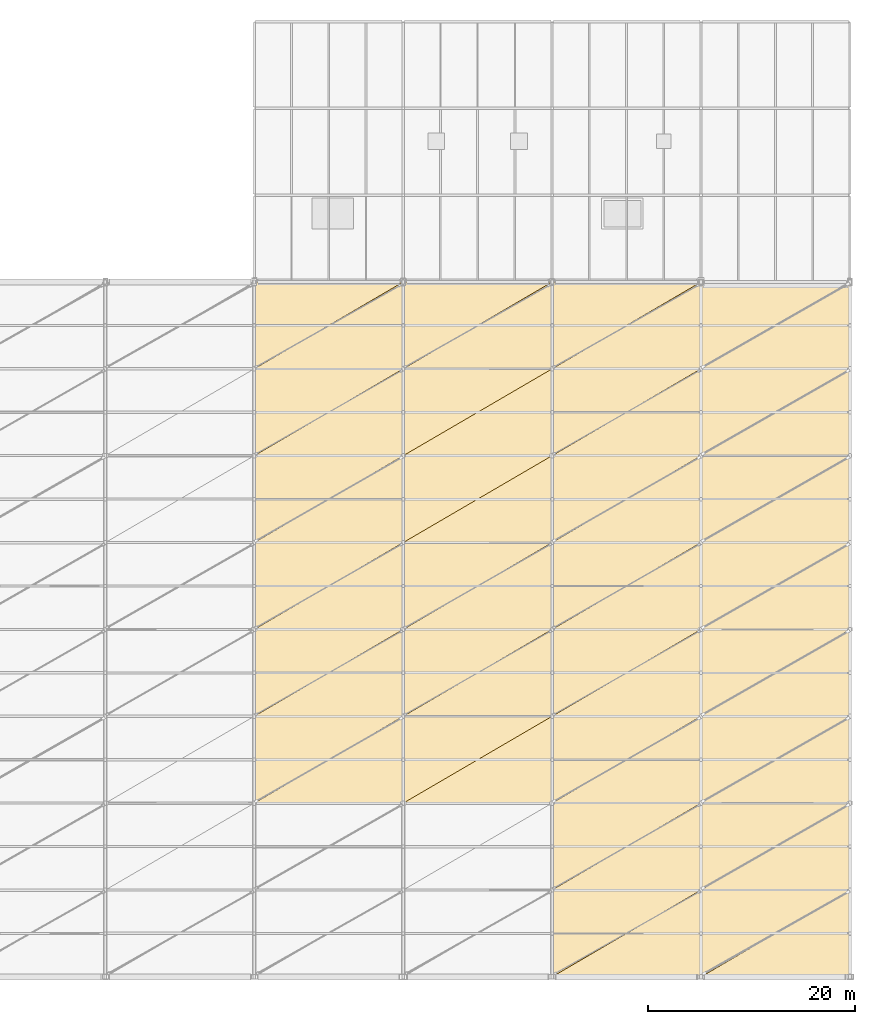
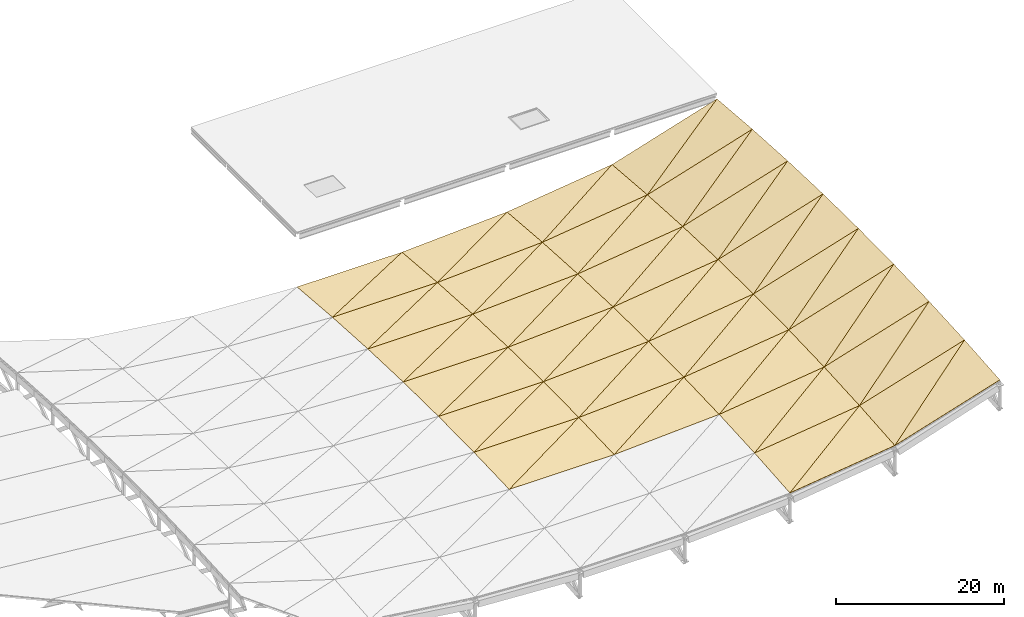
# One storey, part 22 of 22: 56 coverings.
"""IFC4 building model written with IfcOpenShell, lengths in metres."""

from ifc_helpers import new_model, si_unit, direction, frame, origin, place, context, subcontext, project, spatial, polyline, outline, extrude, material, layer, layer_set, type_object, element, save


model = new_model("IFC4")

# Units and contexts
model_context = context("Model", 3, precision=1e-05, world=origin(), true_north=direction((0.0, 1.0)))
body_context = subcontext(model_context, "Body", "Model", "MODEL_VIEW")
ifc_project = project(units=[si_unit("LENGTHUNIT", "METRE"), si_unit("AREAUNIT", "SQUARE_METRE"), si_unit("VOLUMEUNIT", "CUBIC_METRE"), si_unit("PLANEANGLEUNIT", "RADIAN"), si_unit("MASSUNIT", "GRAM", prefix="KILO"), si_unit("THERMODYNAMICTEMPERATUREUNIT", "KELVIN")], contexts=[model_context])

# Site, building, storey
site_placement = place(None, origin())
site = spatial("IfcSite", under=ifc_project, at=site_placement, CompositionType="ELEMENT")
building_placement = place(site_placement, origin())
building = spatial("IfcBuilding", under=site, at=building_placement, Name="Nduvali Passage Aquatics Centre", CompositionType="ELEMENT")
storey_placement = place(building_placement, frame((0.0, 0.0, 21.60009765625)))
storey = spatial("IfcBuildingStorey", under=building, at=storey_placement, Name="RF", CompositionType="ELEMENT", Elevation=21.60009765625)

# Coverings
ifc_material = material(Name="Aluminium EN AW-6063 T6", Category="aluminium")
ifc_layer = layer(ifc_material, 0.06005859375, Name="Aluminium EN AW-6063 T6")
ifc_layer_set = layer_set([ifc_layer], Name="Aluminium EN AW-6063 T6")
covering_type = type_object("IfcCoveringType", Name="ARCH-COV-ROOFING", PredefinedType="ROOFING", material=ifc_layer_set)
covering_1_placement = place(storey_placement, frame((68.39990234375, 42.0, -6.650634765625), z_axis=(0.0, -0.035697746763, 0.999362632319), x_axis=(1.0, 0.0, 0.0)))
element("IfcCovering", 1, at=covering_1_placement, inside=storey, type_object=covering_type, Name="Pool Hall Standing-Seam Roof Cladding B4-P3-T1", PredefinedType="ROOFING", context=body_context, shape_type="SweptSolid", body=[
    extrude(outline(polyline([(0.0, 0.0), (14.400146484375, 0.0), (14.400146484375, 8.405259584557513), (0.0, 0.0)])), origin(), (0.0, 0.0, -1.0), 0.06005859375),
])
covering_2_placement = place(storey_placement, frame((68.39990234375, 42.0, -6.650634765625), z_axis=(0.0, -0.035697746763, 0.999362632319), x_axis=(0.863643809628, 0.503781240596, 0.017995324789)))
element("IfcCovering", 2, at=covering_2_placement, inside=storey, type_object=covering_type, Name="Pool Hall Standing-Seam Roof Cladding B4-P3-T2", PredefinedType="ROOFING", context=body_context, shape_type="SweptSolid", body=[
    extrude(outline(polyline([(0.0, 0.0), (16.673710068705574, -1.9116652705264414e-15), (4.237112699734054, 7.259150408522222), (0.0, 0.0)])), origin(), (0.0, 0.0, -1.0), 0.06005859375),
])
covering_3_placement = place(storey_placement, frame((68.39990234375, 50.39990234375, -6.3505859375), z_axis=(0.0, -0.011915333916, 0.999929009889), x_axis=(1.0, 0.0, 0.0)))
element("IfcCovering", 3, at=covering_3_placement, inside=storey, type_object=covering_type, Name="Pool Hall Standing-Seam Roof Cladding B4-P4-T1", PredefinedType="ROOFING", context=body_context, shape_type="SweptSolid", body=[
    extrude(outline(polyline([(0.0, 0.0), (14.400146484375, 0.0), (14.400146484375, 8.400742854042399), (0.0, 0.0)])), origin(), (0.0, 0.0, -1.0), 0.06005859375),
])
covering_4_placement = place(storey_placement, frame((68.39990234375, 50.39990234375, -6.3505859375), z_axis=(0.0, -0.011915333916, 0.999929009889), x_axis=(0.863761737843, 0.503864674804, 0.006004142084)))
element("IfcCovering", 4, at=covering_4_placement, inside=storey, type_object=covering_type, Name="Pool Hall Standing-Seam Roof Cladding B4-P4-T2", PredefinedType="ROOFING", context=body_context, shape_type="SweptSolid", body=[
    extrude(outline(polyline([(0.0, 0.0), (16.67143362975128, -1.427243739859918e-15), (4.233138077207896, 7.25624024678325), (0.0, 0.0)])), origin(), (0.0, 0.0, -1.0), 0.06005859375),
])
covering_5_placement = place(storey_placement, frame((68.39990234375, 58.800048828125, -6.25048828125), z_axis=(0.0, 0.011915680183, 0.999929005763), x_axis=(1.0, 0.0, 0.0)))
element("IfcCovering", 5, at=covering_5_placement, inside=storey, type_object=covering_type, Name="Pool Hall Standing-Seam Roof Cladding B4-P5-T1", PredefinedType="ROOFING", context=body_context, shape_type="SweptSolid", body=[
    extrude(outline(polyline([(0.0, 0.0), (14.400146484375, 0.0), (14.400146484375, 8.400498730749472), (0.0, 0.0)])), origin(), (0.0, 0.0, -1.0), 0.06005859375),
])
covering_6_placement = place(storey_placement, frame((68.39990234375, 58.800048828125, -6.25048828125), z_axis=(0.0, 0.011915680183, 0.999929005763), x_axis=(0.863768111277, 0.503853748311, -0.006004186386)))
element("IfcCovering", 6, at=covering_6_placement, inside=storey, type_object=covering_type, Name="Pool Hall Standing-Seam Roof Cladding B4-P5-T2", PredefinedType="ROOFING", context=body_context, shape_type="SweptSolid", body=[
    extrude(outline(polyline([(0.0, 0.0), (16.67131061724846, -1.1915381875615694e-15), (4.232923286325918, 7.256082922445367), (0.0, 0.0)])), origin(), (0.0, 0.0, -1.0), 0.06005859375),
])
covering_7_placement = place(storey_placement, frame((68.39990234375, 67.199951171875, -6.3505859375), z_axis=(0.0, 0.035696710571, 0.999362669332), x_axis=(1.0, 0.0, 0.0)))
element("IfcCovering", 7, at=covering_7_placement, inside=storey, type_object=covering_type, Name="Pool Hall Standing-Seam Roof Cladding B4-P6-T1", PredefinedType="ROOFING", context=body_context, shape_type="SweptSolid", body=[
    extrude(outline(polyline([(0.0, 0.0), (14.400146484375, 0.0), (14.400146484375, 8.405503569579686), (0.0, 0.0)])), origin(), (0.0, 0.0, -1.0), 0.06005859375),
])
covering_8_placement = place(storey_placement, frame((68.39990234375, 67.199951171875, -6.3505859375), z_axis=(0.0, 0.035696710571, 0.999362669332), x_axis=(0.863637438946, 0.503792166587, -0.017995192046)))
element("IfcCovering", 8, at=covering_8_placement, inside=storey, type_object=covering_type, Name="Pool Hall Standing-Seam Roof Cladding B4-P6-T2", PredefinedType="ROOFING", context=body_context, shape_type="SweptSolid", body=[
    extrude(outline(polyline([(0.0, 0.0), (16.67383306350626, 8.344019919448442e-16), (4.237327433297434, 7.259307575880901), (0.0, 0.0)])), origin(), (0.0, 0.0, -1.0), 0.06005859375),
])
covering_9_placement = place(storey_placement, frame((68.39990234375, 75.60009765625, -6.650634765625), z_axis=(0.0, 0.059419328339, 0.998233110761), x_axis=(1.0, 0.0, 0.0)))
element("IfcCovering", 9, at=covering_9_placement, inside=storey, type_object=covering_type, Name="Pool Hall Standing-Seam Roof Cladding B4-P7-T1", PredefinedType="ROOFING", context=body_context, shape_type="SweptSolid", body=[
    extrude(outline(polyline([(0.0, 0.0), (14.400146484375, 0.0), (14.400146484375, 8.414770310860346), (0.0, 0.0)])), origin(), (0.0, 0.0, -1.0), 0.06005859375),
])
covering_10_placement = place(storey_placement, frame((68.39990234375, 75.60009765625, -6.650634765625), z_axis=(0.0, 0.059419328339, 0.998233110761), x_axis=(0.863395442994, 0.503636363217, -0.029978703478)))
element("IfcCovering", 10, at=covering_10_placement, inside=storey, type_object=covering_type, Name="Pool Hall Standing-Seam Roof Cladding B4-P7-T2", PredefinedType="ROOFING", context=body_context, shape_type="SweptSolid", body=[
    extrude(outline(polyline([(0.0, 0.0), (16.67850647258304, 6.938893903907228e-16), (4.245485619526848, 7.265274340238467), (0.0, 0.0)])), origin(), (0.0, 0.0, -1.0), 0.06005859375),
])
covering_11_placement = place(storey_placement, frame((68.39990234375, 84.0, -7.150634765625), z_axis=(0.0, 0.08304068576, 0.996546157741), x_axis=(1.0, 0.0, 0.0)))
element("IfcCovering", 11, at=covering_11_placement, inside=storey, type_object=covering_type, Name="Pool Hall Standing-Seam Roof Cladding B4-P8-T1", PredefinedType="ROOFING", context=body_context, shape_type="SweptSolid", body=[
    extrude(outline(polyline([(0.0, 0.0), (14.400146484375, 0.0), (14.400146484375, 8.429014831375367), (0.0, 0.0)])), origin(), (0.0, 0.0, -1.0), 0.06005859375),
])
covering_12_placement = place(storey_placement, frame((68.39990234375, 84.0, -7.150634765625), z_axis=(0.0, 0.08304068576, 0.996546157741), x_axis=(0.863023332313, 0.503419303385, -0.041949169994)))
element("IfcCovering", 12, at=covering_12_placement, inside=storey, type_object=covering_type, Name="Pool Hall Standing-Seam Roof Cladding B4-P8-T2", PredefinedType="ROOFING", context=body_context, shape_type="SweptSolid", body=[
    extrude(outline(polyline([(0.0, 0.0), (16.685697761825953, -3.0531133177191805e-16), (4.258035357088415, 7.274436467887453), (0.0, 0.0)])), origin(), (0.0, 0.0, -1.0), 0.06005859375),
])
covering_13_placement = place(storey_placement, frame((82.800048828125, 42.0, -6.650634765625), z_axis=(-0.054814466752, -0.035644077233, 0.997860147512), x_axis=(0.99849464295, 0.0, 0.054849320863)))
element("IfcCovering", 13, at=covering_13_placement, inside=storey, type_object=covering_type, Name="Pool Hall Standing-Seam Roof Cladding B5-P3-T1", PredefinedType="ROOFING", context=body_context, shape_type="SweptSolid", body=[
    extrude(outline(polyline([(0.0, 0.0), (14.421612019068148, 3.469446951953614e-18), (14.438069493516636, 8.405243472697903), (0.0, 0.0)])), origin(), (0.0, 0.0, -1.0), 0.06005859375),
])
covering_14_placement = place(storey_placement, frame((82.800048828125, 42.0, -6.650634765625), z_axis=(-0.054814466752, -0.035644077233, 0.997860147512), x_axis=(0.861935930412, 0.502793523817, 0.065307918908)))
element("IfcCovering", 14, at=covering_14_placement, inside=storey, type_object=covering_type, Name="Pool Hall Standing-Seam Roof Cladding B5-P3-T2", PredefinedType="ROOFING", context=body_context, shape_type="SweptSolid", body=[
    extrude(outline(polyline([(0.0, 0.0), (16.70646487246618, -9.75781955236954e-17), (4.243012063667166, 7.255703777813067), (0.0, 0.0)])), origin(), (0.0, 0.0, -1.0), 0.06005859375),
])
covering_15_placement = place(storey_placement, frame((82.800048828125, 50.39990234375, -6.3505859375), z_axis=(-0.054845438817, -0.011897399625, 0.998423972931), x_axis=(0.99849464295, 0.0, 0.054849320863)))
element("IfcCovering", 15, at=covering_15_placement, inside=storey, type_object=covering_type, Name="Pool Hall Standing-Seam Roof Cladding B5-P4-T1", PredefinedType="ROOFING", context=body_context, shape_type="SweptSolid", body=[
    extrude(outline(polyline([(0.0, 0.0), (14.421612019068148, 0.0), (14.42710230753347, 8.400741059958756), (0.0, 0.0)])), origin(), (0.0, 0.0, -1.0), 0.06005859375),
])
covering_16_placement = place(storey_placement, frame((82.800048828125, 50.39990234375, -6.3505859375), z_axis=(-0.054845438817, -0.011897399625, 0.998423972931), x_axis=(0.862542223577, 0.503161816938, 0.053376947476)))
element("IfcCovering", 16, at=covering_16_placement, inside=storey, type_object=covering_type, Name="Pool Hall Standing-Seam Roof Cladding B5-P4-T2", PredefinedType="ROOFING", context=body_context, shape_type="SweptSolid", body=[
    extrude(outline(polyline([(0.0, 0.0), (16.694721661307042, -1.3877787807814457e-16), (4.231975874962427, 7.256918126414299), (0.0, 0.0)])), origin(), (0.0, 0.0, -1.0), 0.06005859375),
])
covering_17_placement = place(storey_placement, frame((82.800048828125, 58.800048828125, -6.25048828125), z_axis=(-0.054845438591, 0.011897745371, 0.998423968823), x_axis=(0.99849464295, 0.0, 0.054849320863)))
element("IfcCovering", 17, at=covering_17_placement, inside=storey, type_object=covering_type, Name="Pool Hall Standing-Seam Roof Cladding B5-P5-T1", PredefinedType="ROOFING", context=body_context, shape_type="SweptSolid", body=[
    extrude(outline(polyline([(0.0, 0.0), (14.421612019068148, -1.734723475976807e-18), (14.416121730602827, 8.400496936613694), (0.0, 0.0)])), origin(), (0.0, 0.0, -1.0), 0.06005859375),
])
covering_18_placement = place(storey_placement, frame((82.800048828125, 58.800048828125, -6.25048828125), z_axis=(-0.054845438591, 0.011897745371, 0.998423968823), x_axis=(0.863039072381, 0.503437020182, 0.041409253244)))
element("IfcCovering", 18, at=covering_18_placement, inside=storey, type_object=covering_type, Name="Pool Hall Standing-Seam Roof Cladding B5-P5-T2", PredefinedType="ROOFING", context=body_context, shape_type="SweptSolid", body=[
    extrude(outline(polyline([(0.0, 0.0), (16.6851105640213, 2.0816681711721685e-17), (4.224676836556435, 7.260887311616054), (0.0, 0.0)])), origin(), (0.0, 0.0, -1.0), 0.06005859375),
])
covering_19_placement = place(storey_placement, frame((82.800048828125, 67.199951171875, -6.3505859375), z_axis=(-0.054814468776, 0.035643042595, 0.997860184358), x_axis=(0.99849464295, 0.0, 0.054849320863)))
element("IfcCovering", 19, at=covering_19_placement, inside=storey, type_object=covering_type, Name="Pool Hall Standing-Seam Roof Cladding B5-P6-T1", PredefinedType="ROOFING", context=body_context, shape_type="SweptSolid", body=[
    extrude(outline(polyline([(0.0, 0.0), (14.421612019068148, -6.938893903907228e-18), (14.405154544619661, 8.405487458187755), (0.0, 0.0)])), origin(), (0.0, 0.0, -1.0), 0.06005859375),
])
covering_20_placement = place(storey_placement, frame((82.800048828125, 67.199951171875, -6.3505859375), z_axis=(-0.054814468776, 0.035643042595, 0.997860184358), x_axis=(0.863399243883, 0.503661757558, 0.02943772472)))
element("IfcCovering", 20, at=covering_20_placement, inside=storey, type_object=covering_type, Name="Pool Hall Standing-Seam Roof Cladding B5-P6-T2", PredefinedType="ROOFING", context=body_context, shape_type="SweptSolid", body=[
    extrude(outline(polyline([(0.0, 0.0), (16.678150283053817, 9.055256544598933e-16), (4.221999787257812, 7.268232801349435), (0.0, 0.0)])), origin(), (0.0, 0.0, -1.0), 0.06005859375),
])
covering_21_placement = place(storey_placement, frame((82.800048828125, 75.60009765625, -6.650634765625), z_axis=(-0.054752698975, 0.059330196132, 0.996735707087), x_axis=(0.99849464295, 0.0, 0.054849320863)))
element("IfcCovering", 21, at=covering_21_placement, inside=storey, type_object=covering_type, Name="Pool Hall Standing-Seam Roof Cladding B5-P7-T1", PredefinedType="ROOFING", context=body_context, shape_type="SweptSolid", body=[
    extrude(outline(polyline([(0.0, 0.0), (14.421612019068148, 0.0), (14.394187358636495, 8.41472562075181), (0.0, 0.0)])), origin(), (0.0, 0.0, -1.0), 0.06005859375),
])
covering_22_placement = place(storey_placement, frame((82.800048828125, 75.60009765625, -6.650634765625), z_axis=(-0.054752698975, 0.059330196132, 0.996735707087), x_axis=(0.86364838207, 0.503792449112, 0.017453949873)))
element("IfcCovering", 22, at=covering_22_placement, inside=storey, type_object=covering_type, Name="Pool Hall Standing-Seam Roof Cladding B5-P7-T2", PredefinedType="ROOFING", context=body_context, shape_type="SweptSolid", body=[
    extrude(outline(polyline([(0.0, 0.0), (16.67333910733143, -1.033895191682177e-15), (4.223080399119065, 7.278320639207447), (0.0, 0.0)])), origin(), (0.0, 0.0, -1.0), 0.06005859375),
])
covering_23_placement = place(storey_placement, frame((82.800048828125, 84.0, -7.150634765625), z_axis=(-0.054660446944, 0.082916539956, 0.995056321492), x_axis=(0.99849464295, 0.0, 0.054849320863)))
element("IfcCovering", 23, at=covering_23_placement, inside=storey, type_object=covering_type, Name="Pool Hall Standing-Seam Roof Cladding B5-P8-T1", PredefinedType="ROOFING", context=body_context, shape_type="SweptSolid", body=[
    extrude(outline(polyline([(0.0, 0.0), (14.421612019068148, -1.3877787807814457e-17), (14.383220172653328, 8.428927398766392), (0.0, 0.0)])), origin(), (0.0, 0.0, -1.0), 0.06005859375),
])
covering_24_placement = place(storey_placement, frame((82.800048828125, 84.0, -7.150634765625), z_axis=(-0.054660446944, 0.082916539956, 0.995056321492), x_axis=(0.863767076318, 0.503861687087, 0.005462431241)))
element("IfcCovering", 24, at=covering_24_placement, inside=storey, type_object=covering_type, Name="Pool Hall Standing-Seam Roof Cladding B5-P8-T2", PredefinedType="ROOFING", context=body_context, shape_type="SweptSolid", body=[
    extrude(outline(polyline([(0.0, 0.0), (16.671047946325885, -6.071532165918825e-17), (4.228565531142389, 7.291606446893607), (0.0, 0.0)])), origin(), (0.0, 0.0, -1.0), 0.06005859375),
])
covering_25_placement = place(storey_placement, frame((97.199951171875, 25.199951171875, -7.0595703125), z_axis=(-0.126024001497, -0.082404774976, 0.988598707316), x_axis=(0.991972462267, 0.0, 0.126454079036)))
element("IfcCovering", 25, at=covering_25_placement, inside=storey, type_object=covering_type, Name="Pool Hall Standing-Seam Roof Cladding B6-P1-T1", PredefinedType="ROOFING", context=body_context, shape_type="SweptSolid", body=[
    extrude(outline(polyline([(0.0, 0.0), (14.516679678256704, 0.0), (14.605222231644236, 8.428813359592455), (0.0, 0.0)])), origin(), (0.0, 0.0, -1.0), 0.06005859375),
])
covering_26_placement = place(storey_placement, frame((97.199951171875, 25.199951171875, -7.0595703125), z_axis=(-0.126040794363, -0.082376063484, 0.988598959296), x_axis=(0.853954308734, 0.498143632922, 0.150382710354)))
element("IfcCovering", 26, at=covering_26_placement, inside=storey, type_object=covering_type, Name="Pool Hall Standing-Seam Roof Cladding B6-P1-T2", PredefinedType="ROOFING", context=body_context, shape_type="SweptSolid", body=[
    extrude(outline(polyline([(0.0, 0.0), (16.862900435173046, 7.979727989493313e-17), (4.289740041143687, 7.256068011077034), (0.0, 0.0)])), origin(), (0.0, 0.0, -1.0), 0.06005859375),
])
covering_27_placement = place(storey_placement, frame((97.199951171875, 33.60009765625, -6.359619140625), z_axis=(-0.12625073328, -0.058943876448, 0.990245611844), x_axis=(0.991970352508, 0.0, 0.126470627992)))
element("IfcCovering", 27, at=covering_27_placement, inside=storey, type_object=covering_type, Name="Pool Hall Standing-Seam Roof Cladding B6-P2-T1", PredefinedType="ROOFING", context=body_context, shape_type="SweptSolid", body=[
    extrude(outline(polyline([(0.0, 0.0), (14.516710552854732, 1.3877787807814457e-17), (14.579945866850814, 8.414532707144263), (0.0, 0.0)])), origin(), (0.0, 0.0, -1.0), 0.06005859375),
])
covering_28_placement = place(storey_placement, frame((97.199951171875, 33.60009765625, -6.359619140625), z_axis=(-0.12625073328, -0.058943876448, 0.990245611844), x_axis=(0.855426970066, 0.498988188666, 0.13876413966)))
element("IfcCovering", 28, at=covering_28_placement, inside=storey, type_object=covering_type, Name="Pool Hall Standing-Seam Roof Cladding B6-P2-T2", PredefinedType="ROOFING", context=body_context, shape_type="SweptSolid", body=[
    extrude(outline(polyline([(0.0, 0.0), (16.833870088601152, -3.0878077872387166e-16), (4.260834125309386, 7.256283617743709), (0.0, 0.0)])), origin(), (0.0, 0.0, -1.0), 0.06005859375),
])
covering_29_placement = place(storey_placement, frame((97.199951171875, 42.0, -5.859619140625), z_axis=(-0.126391436711, -0.035382690183, 0.991349216957), x_axis=(0.991970352508, 0.0, 0.126470627992)))
element("IfcCovering", 29, at=covering_29_placement, inside=storey, type_object=covering_type, Name="Pool Hall Standing-Seam Roof Cladding B6-P3-T1", PredefinedType="ROOFING", context=body_context, shape_type="SweptSolid", body=[
    extrude(outline(polyline([(0.0, 0.0), (14.516710552854732, 0.0), (14.554627039957852, 8.405165350853574), (0.0, 0.0)])), origin(), (0.0, 0.0, -1.0), 0.06005859375),
])
covering_30_placement = place(storey_placement, frame((97.199951171875, 42.0, -5.859619140625), z_axis=(-0.12637476889, -0.035411542552, 0.991350311667), x_axis=(0.856781348573, 0.499778225574, 0.127072601213)))
element("IfcCovering", 30, at=covering_30_placement, inside=storey, type_object=covering_type, Name="Pool Hall Standing-Seam Roof Cladding B6-P3-T2", PredefinedType="ROOFING", context=body_context, shape_type="SweptSolid", body=[
    extrude(outline(polyline([(0.0, 0.0), (16.807259528175965, 3.885780586188048e-16), (4.2362162734331426, 7.259673571759007), (0.0, 0.0)])), origin(), (0.0, 0.0, -1.0), 0.06005859375),
])
covering_31_placement = place(storey_placement, frame((97.199951171875, 50.39990234375, -5.5595703125), z_axis=(-0.12644524558, -0.011819696541, 0.991903167978), x_axis=(0.991972462267, 0.0, 0.126454079036)))
element("IfcCovering", 31, at=covering_31_placement, inside=storey, type_object=covering_type, Name="Pool Hall Standing-Seam Roof Cladding B6-P4-T1", PredefinedType="ROOFING", context=body_context, shape_type="SweptSolid", body=[
    extrude(outline(polyline([(0.0, 0.0), (14.516679678256704, 0.0), (14.529337435191463, 8.400733318046335), (0.0, 0.0)])), origin(), (0.0, 0.0, -1.0), 0.06005859375),
])
covering_32_placement = place(storey_placement, frame((97.199951171875, 50.39990234375, -5.5595703125), z_axis=(-0.12644524558, -0.011819696541, 0.991903167978), x_axis=(0.858012381833, 0.500510859429, 0.115341372523)))
element("IfcCovering", 32, at=covering_32_placement, inside=storey, type_object=covering_type, Name="Pool Hall Standing-Seam Roof Cladding B6-P4-T2", PredefinedType="ROOFING", context=body_context, shape_type="SweptSolid", body=[
    extrude(outline(polyline([(0.0, 0.0), (16.783145312681704, -1.2212453270876722e-15), (4.215909937283724, 7.266263407037812), (0.0, 0.0)])), origin(), (0.0, 0.0, -1.0), 0.06005859375),
])
covering_33_placement = place(storey_placement, frame((97.199951171875, 58.800048828125, -5.45947265625), z_axis=(-0.126445245066, 0.011820040028, 0.99190316395), x_axis=(0.991972462267, 0.0, 0.126454079036)))
element("IfcCovering", 33, at=covering_33_placement, inside=storey, type_object=covering_type, Name="Pool Hall Standing-Seam Roof Cladding B6-P5-T1", PredefinedType="ROOFING", context=body_context, shape_type="SweptSolid", body=[
    extrude(outline(polyline([(0.0, 0.0), (14.516679678256704, 0.0), (14.504021921321945, 8.400489194476288), (0.0, 0.0)])), origin(), (0.0, 0.0, -1.0), 0.06005859375),
])
covering_34_placement = place(storey_placement, frame((97.199951171875, 58.800048828125, -5.45947265625), z_axis=(-0.126445245066, 0.011820040028, 0.99190316395), x_axis=(0.859140289101, 0.50115424422, 0.103548960128)))
element("IfcCovering", 34, at=covering_34_placement, inside=storey, type_object=covering_type, Name="Pool Hall Standing-Seam Roof Cladding B6-P5-T2", PredefinedType="ROOFING", context=body_context, shape_type="SweptSolid", body=[
    extrude(outline(polyline([(0.0, 0.0), (16.761111854548922, -1.4710455076283324e-15), (4.19928170238624, 7.275603899974738), (0.0, 0.0)])), origin(), (0.0, 0.0, -1.0), 0.06005859375),
])
covering_35_placement = place(storey_placement, frame((97.199951171875, 67.199951171875, -5.5595703125), z_axis=(-0.126374902379, 0.035381738269, 0.991351358826), x_axis=(0.991972462267, 0.0, 0.126454079036)))
element("IfcCovering", 35, at=covering_35_placement, inside=storey, type_object=covering_type, Name="Pool Hall Standing-Seam Roof Cladding B6-P6-T1", PredefinedType="ROOFING", context=body_context, shape_type="SweptSolid", body=[
    extrude(outline(polyline([(0.0, 0.0), (14.516679678256704, 0.0), (14.478768152608206, 8.405409360990555), (0.0, 0.0)])), origin(), (0.0, 0.0, -1.0), 0.06005859375),
])
covering_36_placement = place(storey_placement, frame((97.199951171875, 67.199951171875, -5.5595703125), z_axis=(-0.12639131241, 0.035410439429, 0.991348242005), x_axis=(0.86013474412, 0.501748913092, 0.091740123006)))
element("IfcCovering", 36, at=covering_36_placement, inside=storey, type_object=covering_type, Name="Pool Hall Standing-Seam Roof Cladding B6-P6-T2", PredefinedType="ROOFING", context=body_context, shape_type="SweptSolid", body=[
    extrude(outline(polyline([(0.0, 0.0), (16.741733295653987, -3.885780586188048e-16), (4.187237851951022, 7.288314580848266), (0.0, 0.0)])), origin(), (0.0, 0.0, -1.0), 0.06005859375),
])
covering_37_placement = place(storey_placement, frame((97.199951171875, 75.60009765625, -5.859619140625), z_axis=(-0.12625073328, 0.058943876448, 0.990245611844), x_axis=(0.991970352508, 0.0, 0.126470627992)))
element("IfcCovering", 37, at=covering_37_placement, inside=storey, type_object=covering_type, Name="Pool Hall Standing-Seam Roof Cladding B6-P7-T1", PredefinedType="ROOFING", context=body_context, shape_type="SweptSolid", body=[
    extrude(outline(polyline([(0.0, 0.0), (14.516710552854732, -1.3877787807814457e-17), (14.453475238858651, 8.414532707144264), (0.0, 0.0)])), origin(), (0.0, 0.0, -1.0), 0.06005859375),
])
covering_38_placement = place(storey_placement, frame((97.199951171875, 75.60009765625, -5.859619140625), z_axis=(-0.12625073328, 0.058943876448, 0.990245611844), x_axis=(0.861023498028, 0.502252758815, 0.079879297106)))
element("IfcCovering", 38, at=covering_38_placement, inside=storey, type_object=covering_type, Name="Pool Hall Standing-Seam Roof Cladding B6-P7-T2", PredefinedType="ROOFING", context=body_context, shape_type="SweptSolid", body=[
    extrude(outline(polyline([(0.0, 0.0), (16.72445237249641, -3.608224830031759e-16), (4.178934477368746, 7.303756979691722), (0.0, 0.0)])), origin(), (0.0, 0.0, -1.0), 0.06005859375),
])
covering_39_placement = place(storey_placement, frame((97.199951171875, 84.0, -6.359619140625), z_axis=(-0.126040471114, 0.082406979705, 0.988596423895), x_axis=(0.991970352508, 0.0, 0.126470627992)))
element("IfcCovering", 39, at=covering_39_placement, inside=storey, type_object=covering_type, Name="Pool Hall Standing-Seam Roof Cladding B6-P8-T1", PredefinedType="ROOFING", context=body_context, shape_type="SweptSolid", body=[
    extrude(outline(polyline([(0.0, 0.0), (14.516710552854732, -2.7755575615628914e-17), (14.42815641196569, 8.428569927592411), (0.0, 0.0)])), origin(), (0.0, 0.0, -1.0), 0.06005859375),
])
covering_40_placement = place(storey_placement, frame((97.199951171875, 84.0, -6.359619140625), z_axis=(-0.126024274977, 0.082378615489, 0.988600852633), x_axis=(0.861786110628, 0.502697606467, 0.067969228195)))
element("IfcCovering", 40, at=covering_40_placement, inside=storey, type_object=covering_type, Name="Pool Hall Standing-Seam Roof Cladding B6-P8-T2", PredefinedType="ROOFING", context=body_context, shape_type="SweptSolid", body=[
    extrude(outline(polyline([(0.0, 0.0), (16.709652553912115, 7.216449660063518e-16), (4.175035661834573, 7.322388152095974), (0.0, 0.0)])), origin(), (0.0, 0.0, -1.0), 0.06005859375),
])
covering_41_placement = place(storey_placement, frame((111.60009765625, 25.199951171875, -5.223876953125), z_axis=(-0.296057741153, -0.079315686122, 0.951871228601), x_axis=(0.954879530446, 0.0, 0.296993404531)))
element("IfcCovering", 41, at=covering_41_placement, inside=storey, type_object=covering_type, Name="Pool Hall Standing-Seam Roof Cladding B7-P1-T1", PredefinedType="ROOFING", context=body_context, shape_type="SweptSolid", body=[
    extrude(outline(polyline([(0.0, 0.0), (15.080334099340044, 0.0), (15.288214980880529, 8.426694378049843), (0.0, 0.0)])), origin(), (0.0, 0.0, -1.0), 0.06005859375),
])
covering_42_placement = place(storey_placement, frame((111.60009765625, 25.199951171875, -5.223876953125), z_axis=(-0.296042367525, -0.07934355612, 0.951873687383), x_axis=(0.824889441692, 0.48119716219, 0.29665923226)))
element("IfcCovering", 42, at=covering_42_placement, inside=storey, type_object=covering_type, Name="Pool Hall Standing-Seam Roof Cladding B7-P1-T2", PredefinedType="ROOFING", context=body_context, shape_type="SweptSolid", body=[
    extrude(outline(polyline([(0.0, 0.0), (17.45676646583429, -1.7763568394002505e-15), (4.249846054100951, 7.279529033601502), (0.0, 0.0)])), origin(), (0.0, 0.0, -1.0), 0.06005859375),
])
covering_43_placement = place(storey_placement, frame((111.60009765625, 33.60009765625, -4.523681640625), z_axis=(-0.296500082007, -0.056747409145, 0.953345390152), x_axis=(0.954884121536, 0.0, 0.296978643068)))
element("IfcCovering", 43, at=covering_43_placement, inside=storey, type_object=covering_type, Name="Pool Hall Standing-Seam Roof Cladding B7-P2-T1", PredefinedType="ROOFING", context=body_context, shape_type="SweptSolid", body=[
    extrude(outline(polyline([(0.0, 0.0), (15.080261592986572, 0.0), (15.228750914520717, 8.413460067411451), (0.0, 0.0)])), origin(), (0.0, 0.0, -1.0), 0.06005859375),
])
covering_44_placement = place(storey_placement, frame((111.60009765625, 33.60009765625, -4.523681640625), z_axis=(-0.296500082007, -0.056747409145, 0.953345390152), x_axis=(0.827661017958, 0.482799921737, 0.286149392666)))
element("IfcCovering", 44, at=covering_44_placement, inside=storey, type_object=covering_type, Name="Pool Hall Standing-Seam Roof Cladding B7-P2-T2", PredefinedType="ROOFING", context=body_context, shape_type="SweptSolid", body=[
    extrude(outline(polyline([(0.0, 0.0), (17.398309248959873, -2.7755575615628914e-16), (4.1985468904918894, 7.292500489741337), (0.0, 0.0)])), origin(), (0.0, 0.0, -1.0), 0.06005859375),
])
covering_45_placement = place(storey_placement, frame((111.60009765625, 42.0, -4.023681640625), z_axis=(-0.296806038131, -0.03408912727, 0.954329139831), x_axis=(0.954884121536, 0.0, 0.296978643068)))
element("IfcCovering", 45, at=covering_45_placement, inside=storey, type_object=covering_type, Name="Pool Hall Standing-Seam Roof Cladding B7-P3-T1", PredefinedType="ROOFING", context=body_context, shape_type="SweptSolid", body=[
    extrude(outline(polyline([(0.0, 0.0), (15.080261592986572, 0.0), (15.169369686817365, 8.404787232964901), (0.0, 0.0)])), origin(), (0.0, 0.0, -1.0), 0.06005859375),
])
covering_46_placement = place(storey_placement, frame((111.60009765625, 42.0, -4.023681640625), z_axis=(-0.296821073212, -0.034061258598, 0.954325458719), x_axis=(0.830341159727, 0.484363330195, 0.275546226295)))
element("IfcCovering", 46, at=covering_46_placement, inside=storey, type_object=covering_type, Name="Pool Hall Standing-Seam Roof Cladding B7-P3-T2", PredefinedType="ROOFING", context=body_context, shape_type="SweptSolid", body=[
    extrude(outline(polyline([(0.0, 0.0), (17.342151686764343, -5.551115123125783e-16), (4.151214722798703, 7.308601682976232), (0.0, 0.0)])), origin(), (0.0, 0.0, -1.0), 0.06005859375),
])
covering_47_placement = place(storey_placement, frame((111.60009765625, 50.39990234375, -3.723876953125), z_axis=(-0.296974180436, -0.011377779697, 0.95481772202), x_axis=(0.954879530446, 0.0, 0.296993404531)))
element("IfcCovering", 47, at=covering_47_placement, inside=storey, type_object=covering_type, Name="Pool Hall Standing-Seam Roof Cladding B7-P4-T1", PredefinedType="ROOFING", context=body_context, shape_type="SweptSolid", body=[
    extrude(outline(polyline([(0.0, 0.0), (15.080334099340044, -6.938893903907228e-18), (15.110062443055286, 8.400690252909243), (0.0, 0.0)])), origin(), (0.0, 0.0, -1.0), 0.06005859375),
])
covering_48_placement = place(storey_placement, frame((111.60009765625, 50.39990234375, -3.723876953125), z_axis=(-0.296974180436, -0.011377779697, 0.95481772202), x_axis=(0.832927234897, 0.485885988456, 0.264852841384)))
element("IfcCovering", 48, at=covering_48_placement, inside=storey, type_object=covering_type, Name="Pool Hall Standing-Seam Roof Cladding B7-P4-T2", PredefinedType="ROOFING", context=body_context, shape_type="SweptSolid", body=[
    extrude(outline(polyline([(0.0, 0.0), (17.288307718176302, -3.3306690738754696e-16), (4.108024626408147, 7.327797361320017), (0.0, 0.0)])), origin(), (0.0, 0.0, -1.0), 0.06005859375),
])
covering_49_placement = place(storey_placement, frame((111.60009765625, 58.800048828125, -3.623779296875), z_axis=(-0.296974179318, 0.011378110346, 0.954817718428), x_axis=(0.954879530446, 0.0, 0.296993404531)))
element("IfcCovering", 49, at=covering_49_placement, inside=storey, type_object=covering_type, Name="Pool Hall Standing-Seam Roof Cladding B7-P5-T1", PredefinedType="ROOFING", context=body_context, shape_type="SweptSolid", body=[
    extrude(outline(polyline([(0.0, 0.0), (15.080334099340044, 0.0), (15.050605755624803, 8.40044612808769), (0.0, 0.0)])), origin(), (0.0, 0.0, -1.0), 0.06005859375),
])
covering_50_placement = place(storey_placement, frame((111.60009765625, 58.800048828125, -3.623779296875), z_axis=(-0.296974179318, 0.011378110346, 0.954817718428), x_axis=(0.835443000131, 0.487339389348, 0.254038015112)))
element("IfcCovering", 50, at=covering_50_placement, inside=storey, type_object=covering_type, Name="Pool Hall Standing-Seam Roof Cladding B7-P5-T2", PredefinedType="ROOFING", context=body_context, shape_type="SweptSolid", body=[
    extrude(outline(polyline([(0.0, 0.0), (17.23624752555352, 1.2212453270876722e-15), (4.06817466887276, 7.349716578812104), (0.0, 0.0)])), origin(), (0.0, 0.0, -1.0), 0.06005859375),
])
covering_51_placement = place(storey_placement, frame((111.60009765625, 67.199951171875, -3.723876953125), z_axis=(-0.296820802697, 0.034087973954, 0.954324588973), x_axis=(0.954879530446, 0.0, 0.296993404531)))
element("IfcCovering", 51, at=covering_51_placement, inside=storey, type_object=covering_type, Name="Pool Hall Standing-Seam Roof Cladding B7-P6-T1", PredefinedType="ROOFING", context=body_context, shape_type="SweptSolid", body=[
    extrude(outline(polyline([(0.0, 0.0), (15.080334099340043, 0.0), (14.99122157634972, 8.40503118474067), (0.0, 0.0)])), origin(), (0.0, 0.0, -1.0), 0.06005859375),
])
covering_52_placement = place(storey_placement, frame((111.60009765625, 67.199951171875, -3.723876953125), z_axis=(-0.296806328667, 0.034060433367, 0.954330074), x_axis=(0.837853460079, 0.488759689413, 0.243136886215)))
element("IfcCovering", 52, at=covering_52_placement, inside=storey, type_object=covering_type, Name="Pool Hall Standing-Seam Roof Cladding B7-P6-T2", PredefinedType="ROOFING", context=body_context, shape_type="SweptSolid", body=[
    extrude(outline(polyline([(0.0, 0.0), (17.186659755975754, 4.440892098500626e-16), (4.032759408534219, 7.374903074785687), (0.0, 0.0)])), origin(), (0.0, 0.0, -1.0), 0.06005859375),
])
covering_53_placement = place(storey_placement, frame((111.60009765625, 75.60009765625, -4.023681640625), z_axis=(-0.296500082007, 0.056747409145, 0.953345390152), x_axis=(0.954884121536, 0.0, 0.296978643068)))
element("IfcCovering", 53, at=covering_53_placement, inside=storey, type_object=covering_type, Name="Pool Hall Standing-Seam Roof Cladding B7-P7-T1", PredefinedType="ROOFING", context=body_context, shape_type="SweptSolid", body=[
    extrude(outline(polyline([(0.0, 0.0), (15.080261592986572, 0.0), (14.931772271452427, 8.413460067411451), (0.0, 0.0)])), origin(), (0.0, 0.0, -1.0), 0.06005859375),
])
covering_54_placement = place(storey_placement, frame((111.60009765625, 75.60009765625, -4.023681640625), z_axis=(-0.296500082007, 0.056747409145, 0.953345390152), x_axis=(0.840185042953, 0.490105567594, 0.232132777118)))
element("IfcCovering", 54, at=covering_54_placement, inside=storey, type_object=covering_type, Name="Pool Hall Standing-Seam Roof Cladding B7-P7-T2", PredefinedType="ROOFING", context=body_context, shape_type="SweptSolid", body=[
    extrude(outline(polyline([(0.0, 0.0), (17.138965355949658, 1.1102230246251565e-16), (4.000772517358144, 7.402849360137523), (0.0, 0.0)])), origin(), (0.0, 0.0, -1.0), 0.06005859375),
])
covering_55_placement = place(storey_placement, frame((111.60009765625, 84.0, -4.523681640625), z_axis=(-0.29604296311, 0.079318355869, 0.951875602385), x_axis=(0.954884121536, 0.0, 0.296978643068)))
element("IfcCovering", 55, at=covering_55_placement, inside=storey, type_object=covering_type, Name="Pool Hall Standing-Seam Roof Cladding B7-P8-T1", PredefinedType="ROOFING", context=body_context, shape_type="SweptSolid", body=[
    extrude(outline(polyline([(0.0, 0.0), (15.080261592986572, 0.0), (14.872391043749076, 8.426451261492327), (0.0, 0.0)])), origin(), (0.0, 0.0, -1.0), 0.06005859375),
])
covering_56_placement = place(storey_placement, frame((111.60009765625, 84.0, -4.523681640625), z_axis=(-0.29605703724, 0.079345468604, 0.951868965411), x_axis=(0.842412052276, 0.491404650073, 0.221050682125)))
element("IfcCovering", 56, at=covering_56_placement, inside=storey, type_object=covering_type, Name="Pool Hall Standing-Seam Roof Cladding B7-P8-T2", PredefinedType="ROOFING", context=body_context, shape_type="SweptSolid", body=[
    extrude(outline(polyline([(0.0, 0.0), (17.09365660765693, 1.887379141862766e-15), (3.972972420427513, 7.433984329194277), (0.0, 0.0)])), origin(), (0.0, 0.0, -1.0), 0.06005859375),
])

save(model, "model.ifc")
